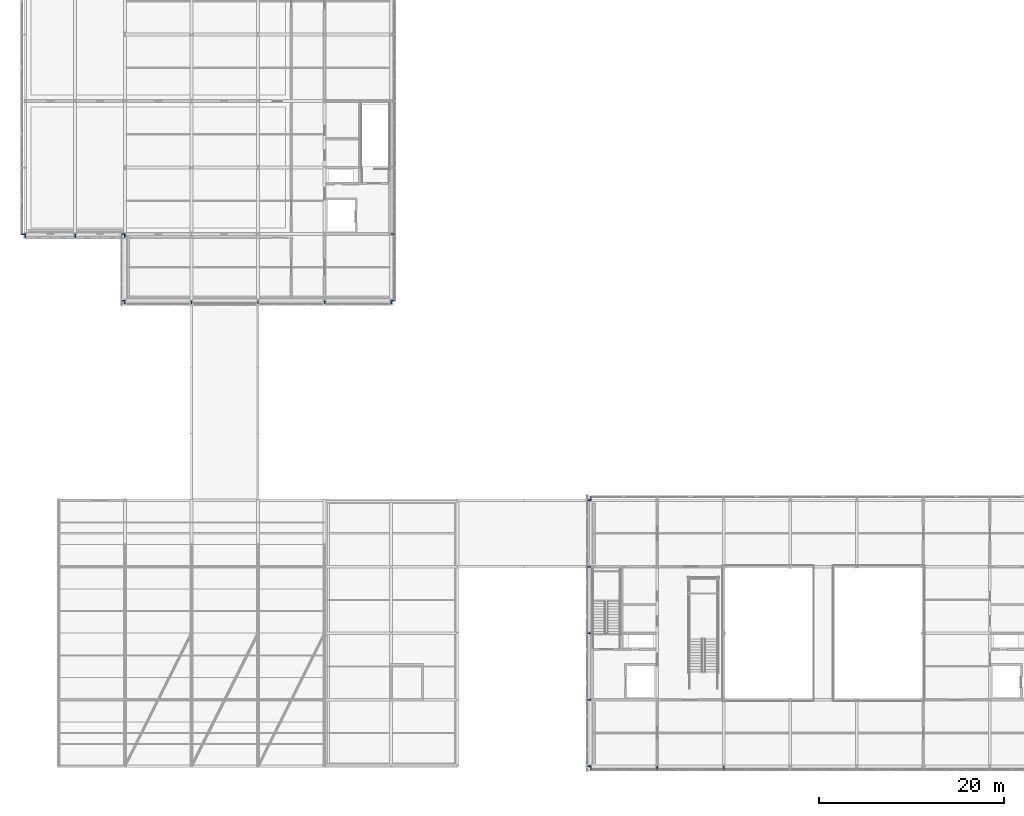
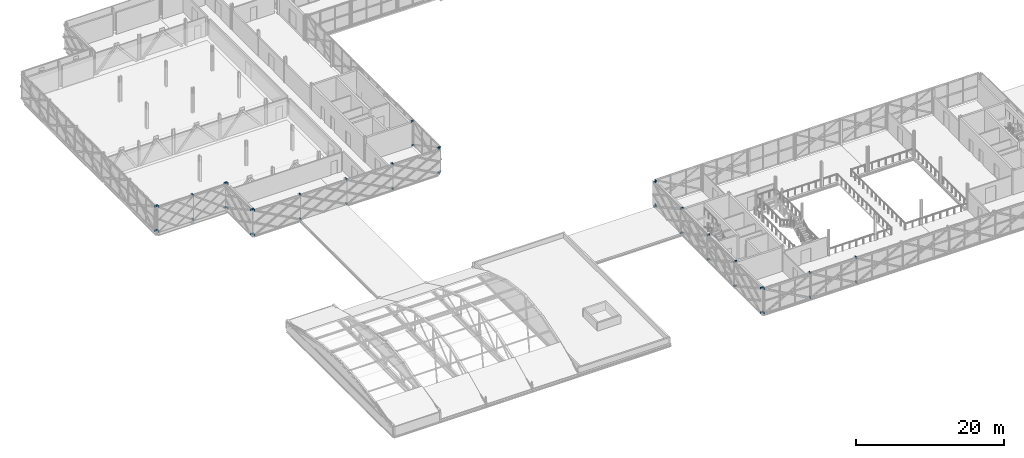
# One storey, part 61 of 103: 44 beams.
"""IFC4 building model written with IfcOpenShell, lengths in metres."""

from ifc_helpers import new_model, si_unit, direction, frame, origin, origin_2d, place, context, subcontext, project, spatial, i_section, extrude, material, material_profile, profile_set, type_object, element, save


model = new_model("IFC4")

# Units and contexts
model_context = context("Model", 3, precision=1e-05, world=origin(), true_north=direction((0.0, 1.0)))
body_context = subcontext(model_context, "Body", "Model", "MODEL_VIEW")
ifc_project = project(units=[si_unit("LENGTHUNIT", "METRE"), si_unit("AREAUNIT", "SQUARE_METRE"), si_unit("VOLUMEUNIT", "CUBIC_METRE"), si_unit("PLANEANGLEUNIT", "RADIAN"), si_unit("MASSUNIT", "GRAM", prefix="KILO")], contexts=[model_context])

# Site, building, storey
site_placement = place(None, origin())
site = spatial("IfcSite", under=ifc_project, at=site_placement, CompositionType="ELEMENT")
building_placement = place(site_placement, origin())
building = spatial("IfcBuilding", under=site, at=building_placement, Name="Zlatovets Crest Museum", CompositionType="ELEMENT")
storey_placement = place(building_placement, frame((0.0, 0.0, 12.89990234375)))
storey = spatial("IfcBuildingStorey", under=building, at=storey_placement, Name="L03", CompositionType="ELEMENT", Elevation=12.89990234375)

# Beams
ifc_material = material(Name="Structural steel S355J2", Category="steel")
ifc_material_profile = material_profile(ifc_material, i_section(OverallWidth=0.10009765625, OverallDepth=0.199951171875, WebThickness=0.005615234375, FlangeThickness=0.008544921875, FilletRadius=0.011962890625, at=origin_2d()), Name="IPE 200")
ifc_profile_set = profile_set([ifc_material_profile], Name="Structural steel S355J2")
beam_type = type_object("IfcBeamType", Name="Beam_PR-02", PredefinedType="LINTEL", material=ifc_profile_set)
for number, where, z_axis, x_axis, name in (
    (1, (57.60009765625, 0.0, 0.10009765625), (0.0, -1.0, 0.0), (1.0, 0.0, 0.0), "Lattice Structural Outrigger Tie"),
    (2, (57.60009765625, 0.0, 4.10009765625), (0.0, -1.0, 0.0), (1.0, 0.0, 0.0), "Lattice Structural Outrigger Tie"),
    (3, (64.800048828125, 0.0, 0.10009765625), (0.0, -1.0, 0.0), (1.0, 0.0, 0.0), "Lattice Structural Outrigger Tie"),
    (4, (64.800048828125, 0.0, 4.10009765625), (0.0, -1.0, 0.0), (1.0, 0.0, 0.0), "Lattice Structural Outrigger Tie"),
    (5, (72.0, 0.0, 0.10009765625), (0.0, -1.0, 0.0), (1.0, 0.0, 0.0), "Lattice Structural Outrigger Tie"),
    (6, (72.0, 0.0, 4.10009765625), (0.0, -1.0, 0.0), (1.0, 0.0, 0.0), "Lattice Structural Outrigger Tie"),
    (7, (57.60009765625, 28.800048828125, 0.10009765625), (0.0, 1.0, 0.0), (-1.0, 0.0, 0.0), "Lattice Structural Outrigger Tie"),
    (8, (57.60009765625, 28.800048828125, 4.10009765625), (0.0, 1.0, 0.0), (-1.0, 0.0, 0.0), "Lattice Structural Outrigger Tie"),
):
    element("IfcBeam", number, at=place(storey_placement, frame(where, z_axis=z_axis, x_axis=x_axis)), inside=storey, type_object=beam_type, Name=name, PredefinedType="LINTEL", context=body_context, shape_type="SweptSolid", body=[
        extrude(i_section(OverallWidth=0.10009765625, OverallDepth=0.199951171875, WebThickness=0.005615234375, FlangeThickness=0.008544921875, FilletRadius=0.011962890625, at=origin_2d()), origin(), (0.0, 0.0, 1.0), 0.419921875),
    ])
for number, where, z_axis, x_axis, name in (
    (9, (57.60009765625, 28.800048828125, 0.10009765625), (-1.0, 0.0, 0.0), (0.0, -1.0, 0.0), "Lattice Structural Outrigger Tie"),
    (10, (57.60009765625, 28.800048828125, 4.10009765625), (-1.0, 0.0, 0.0), (0.0, -1.0, 0.0), "Lattice Structural Outrigger Tie"),
    (11, (57.60009765625, 21.60009765625, 0.10009765625), (-1.0, 0.0, 0.0), (0.0, -1.0, 0.0), "Lattice Structural Outrigger Tie"),
    (12, (57.60009765625, 21.60009765625, 4.10009765625), (-1.0, 0.0, 0.0), (0.0, -1.0, 0.0), "Lattice Structural Outrigger Tie"),
    (13, (57.60009765625, 14.39990234375, 0.10009765625), (-1.0, 0.0, 0.0), (0.0, -1.0, 0.0), "Lattice Structural Outrigger Tie"),
    (14, (57.60009765625, 14.39990234375, 4.10009765625), (-1.0, 0.0, 0.0), (0.0, -1.0, 0.0), "Lattice Structural Outrigger Tie"),
    (15, (57.60009765625, 7.199951171875, 0.10009765625), (-1.0, 0.0, 0.0), (0.0, -1.0, 0.0), "Lattice Structural Outrigger Tie"),
    (16, (57.60009765625, 7.199951171875, 4.10009765625), (-1.0, 0.0, 0.0), (0.0, -1.0, 0.0), "Lattice Structural Outrigger Tie"),
    (17, (57.60009765625, 0.0, 0.10009765625), (-1.0, 0.0, 0.0), (0.0, -1.0, 0.0), "Lattice Structural Outrigger Tie"),
    (18, (57.60009765625, 0.0, 4.10009765625), (-1.0, 0.0, 0.0), (0.0, -1.0, 0.0), "Lattice Structural Outrigger Tie"),
):
    element("IfcBeam", number, at=place(storey_placement, frame(where, z_axis=z_axis, x_axis=x_axis)), inside=storey, type_object=beam_type, Name=name, PredefinedType="LINTEL", context=body_context, shape_type="SweptSolid", body=[
        extrude(i_section(OverallWidth=0.10009765625, OverallDepth=0.199951171875, WebThickness=0.005615234375, FlangeThickness=0.008544921875, FilletRadius=0.011962890625, at=origin_2d()), origin(), (0.0, 0.0, 1.0), 0.420166015625),
    ])
for number, where, z_axis, x_axis, name in (
    (19, (7.199951171875, 50.39990234375, 0.10009765625), (0.0, -1.0, 0.0), (1.0, 0.0, 0.0), "Lattice Structural Outrigger Tie"),
    (20, (7.199951171875, 50.39990234375, 4.10009765625), (0.0, -1.0, 0.0), (1.0, 0.0, 0.0), "Lattice Structural Outrigger Tie"),
    (21, (14.39990234375, 50.39990234375, 0.10009765625), (0.0, -1.0, 0.0), (1.0, 0.0, 0.0), "Lattice Structural Outrigger Tie"),
    (22, (14.39990234375, 50.39990234375, 4.10009765625), (0.0, -1.0, 0.0), (1.0, 0.0, 0.0), "Lattice Structural Outrigger Tie"),
    (23, (21.60009765625, 50.39990234375, 0.10009765625), (0.0, -1.0, 0.0), (1.0, 0.0, 0.0), "Lattice Structural Outrigger Tie"),
    (24, (21.60009765625, 50.39990234375, 4.10009765625), (0.0, -1.0, 0.0), (1.0, 0.0, 0.0), "Lattice Structural Outrigger Tie"),
    (25, (28.800048828125, 50.39990234375, 0.10009765625), (0.0, -1.0, 0.0), (1.0, 0.0, 0.0), "Lattice Structural Outrigger Tie"),
    (26, (28.800048828125, 50.39990234375, 4.10009765625), (0.0, -1.0, 0.0), (1.0, 0.0, 0.0), "Lattice Structural Outrigger Tie"),
    (27, (36.0, 50.39990234375, 0.10009765625), (0.0, -1.0, 0.0), (1.0, 0.0, 0.0), "Lattice Structural Outrigger Tie"),
    (28, (36.0, 50.39990234375, 4.10009765625), (0.0, -1.0, 0.0), (1.0, 0.0, 0.0), "Lattice Structural Outrigger Tie"),
    (29, (36.0, 50.39990234375, 0.10009765625), (1.0, 0.0, 0.0), (0.0, 1.0, 0.0), "Lattice Structural Outrigger Tie"),
    (30, (36.0, 50.39990234375, 4.10009765625), (1.0, 0.0, 0.0), (0.0, 1.0, 0.0), "Lattice Structural Outrigger Tie"),
    (31, (36.0, 57.60009765625, 0.10009765625), (1.0, 0.0, 0.0), (0.0, 1.0, 0.0), "Lattice Structural Outrigger Tie"),
    (32, (36.0, 57.60009765625, 4.10009765625), (1.0, 0.0, 0.0), (0.0, 1.0, 0.0), "Lattice Structural Outrigger Tie"),
    (33, (-3.60009765625, 57.60009765625, 0.10009765625), (-1.0, 0.0, 0.0), (0.0, -1.0, 0.0), "Lattice Structural Outrigger Tie"),
    (34, (-3.60009765625, 57.60009765625, 4.10009765625), (-1.0, 0.0, 0.0), (0.0, -1.0, 0.0), "Lattice Structural Outrigger Tie"),
):
    element("IfcBeam", number, at=place(storey_placement, frame(where, z_axis=z_axis, x_axis=x_axis)), inside=storey, type_object=beam_type, Name=name, PredefinedType="LINTEL", context=body_context, shape_type="SweptSolid", body=[
        extrude(i_section(OverallWidth=0.10009765625, OverallDepth=0.199951171875, WebThickness=0.005615234375, FlangeThickness=0.008544921875, FilletRadius=0.011962890625, at=origin_2d()), origin(), (0.0, 0.0, 1.0), 0.419921875),
    ])
for number, where, z_axis, x_axis, name in (
    (35, (-3.60009765625, 57.60009765625, 0.10009765625), (0.0, -1.0, 0.0), (1.0, 0.0, 0.0), "Lattice Structural Outrigger Tie"),
    (36, (-3.60009765625, 57.60009765625, 4.10009765625), (0.0, -1.0, 0.0), (1.0, 0.0, 0.0), "Lattice Structural Outrigger Tie"),
    (37, (1.800048828125, 57.60009765625, 0.10009765625), (0.0, -1.0, 0.0), (1.0, 0.0, 0.0), "Lattice Structural Outrigger Tie"),
    (38, (1.800048828125, 57.60009765625, 4.10009765625), (0.0, -1.0, 0.0), (1.0, 0.0, 0.0), "Lattice Structural Outrigger Tie"),
    (39, (7.199951171875, 57.60009765625, 0.10009765625), (0.0, -1.0, 0.0), (1.0, 0.0, 0.0), "Lattice Structural Outrigger Tie"),
    (40, (7.199951171875, 57.60009765625, 4.10009765625), (0.0, -1.0, 0.0), (1.0, 0.0, 0.0), "Lattice Structural Outrigger Tie"),
):
    element("IfcBeam", number, at=place(storey_placement, frame(where, z_axis=z_axis, x_axis=x_axis)), inside=storey, type_object=beam_type, Name=name, PredefinedType="LINTEL", context=body_context, shape_type="SweptSolid", body=[
        extrude(i_section(OverallWidth=0.10009765625, OverallDepth=0.199951171875, WebThickness=0.005615234375, FlangeThickness=0.008544921875, FilletRadius=0.011962890625, at=origin_2d()), origin(), (0.0, 0.0, 1.0), 0.420166015625),
    ])
for number, where, z_axis, x_axis, name in (
    (41, (7.199951171875, 57.60009765625, 0.10009765625), (-1.0, 0.0, 0.0), (0.0, -1.0, 0.0), "Lattice Structural Outrigger Tie"),
    (42, (7.199951171875, 57.60009765625, 4.10009765625), (-1.0, 0.0, 0.0), (0.0, -1.0, 0.0), "Lattice Structural Outrigger Tie"),
    (43, (7.199951171875, 50.39990234375, 0.10009765625), (-1.0, 0.0, 0.0), (0.0, -1.0, 0.0), "Lattice Structural Outrigger Tie"),
    (44, (7.199951171875, 50.39990234375, 4.10009765625), (-1.0, 0.0, 0.0), (0.0, -1.0, 0.0), "Lattice Structural Outrigger Tie"),
):
    element("IfcBeam", number, at=place(storey_placement, frame(where, z_axis=z_axis, x_axis=x_axis)), inside=storey, type_object=beam_type, Name=name, PredefinedType="LINTEL", context=body_context, shape_type="SweptSolid", body=[
        extrude(i_section(OverallWidth=0.10009765625, OverallDepth=0.199951171875, WebThickness=0.005615234375, FlangeThickness=0.008544921875, FilletRadius=0.011962890625, at=origin_2d()), origin(), (0.0, 0.0, 1.0), 0.419921875),
    ])

save(model, "model.ifc")
